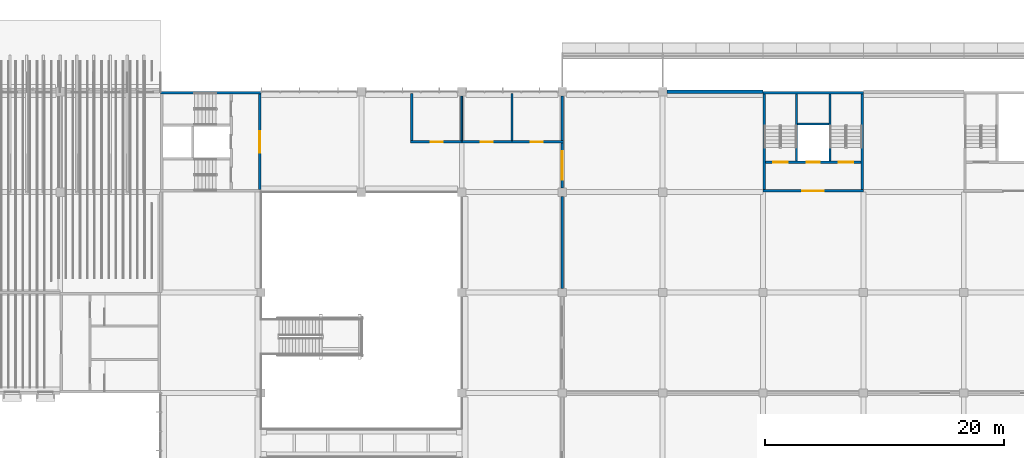
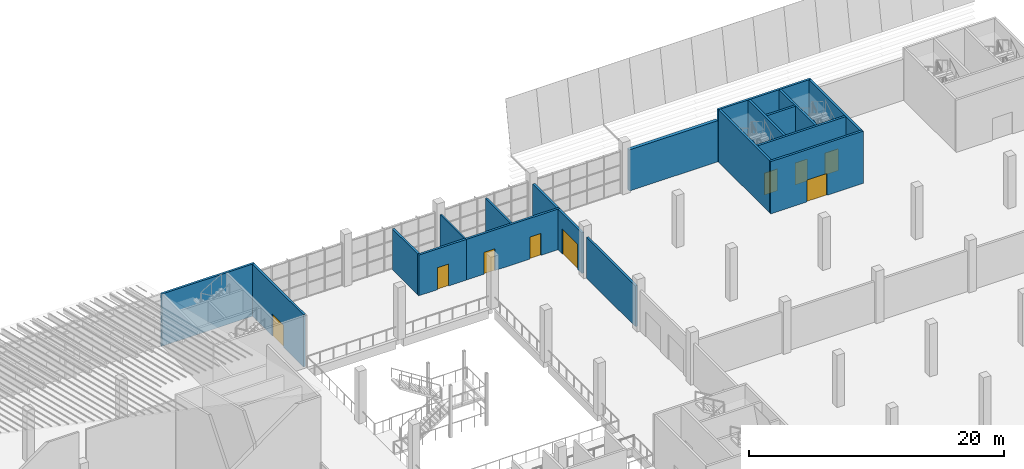
# One storey, part 26 of 82: 19 walls, 9 doors, 9 openings.
"""IFC4 building model written with IfcOpenShell, lengths in metres."""

import ifcopenshell
import ifcopenshell.guid

model = None  # the IFC model being written
_history = None  # IfcOwnerHistory: only IFC2X3 demands one
_inside = {}  # id of a spatial element -> (the spatial element, [elements in it])
_under = {}  # id of a project, library or spatial element -> (it, [spatial elements below it])
_declared = {}  # id of a project -> (the project, [libraries it declares])
_typed = {}  # id of a type object -> (the type object, [elements of that type])
_made_of = {}  # id of a material, layer set ... -> (it, [elements and type objects made of it])


def new_model(schema):
    """Start an empty IFC model of exactly this schema.

    Asked for "IFC4X3", IfcOpenShell would pick the latest addendum, in which some entities
    have other attributes; the version numbers below select the first issue.
    IFC2X3 requires an IfcOwnerHistory on every rooted entity: one is made here for all.
    """
    global model, _history
    if schema == "IFC4X3":
        model = ifcopenshell.file(schema_version=(4, 3, 0, 0))
    else:
        model = ifcopenshell.file(schema=schema)
    _inside.clear()
    _under.clear()
    _declared.clear()
    _typed.clear()
    _made_of.clear()
    _history = None
    if model.schema == "IFC2X3":
        org = make("IfcOrganization", Name="unknown")
        user = make(
            "IfcPersonAndOrganization",
            ThePerson=make("IfcPerson", FamilyName="unknown"),
            TheOrganization=org,
        )
        app = make(
            "IfcApplication",
            ApplicationDeveloper=org,
            Version="unknown",
            ApplicationFullName="unknown",
            ApplicationIdentifier="unknown",
        )
        _history = make(
            "IfcOwnerHistory",
            OwningUser=user,
            OwningApplication=app,
            ChangeAction="ADDED",
            CreationDate=0,
        )
    return model


def make(cls, **values):
    """One entity of the class cls with the attributes given. An attribute that is None is left unset."""
    return model.create_entity(
        cls, **{name: value for name, value in values.items() if value is not None}
    )


def rooted(cls, **values):
    """An entity with a GlobalId (a new one), such as an element, a storey or a relation."""
    return make(cls, GlobalId=ifcopenshell.guid.new(), OwnerHistory=_history, **values)


def si_unit(unit_type, name, prefix=None):
    """IfcSIUnit, for example si_unit("LENGTHUNIT", "METRE", prefix="MILLI")."""
    return make("IfcSIUnit", UnitType=unit_type, Prefix=prefix, Name=name)


def assignment(units):
    """IfcUnitAssignment: the units of a project."""
    return None if units is None else make("IfcUnitAssignment", Units=units)


def point(xyz):
    """IfcCartesianPoint."""
    return None if xyz is None else make("IfcCartesianPoint", Coordinates=xyz)


def direction(xyz):
    """IfcDirection."""
    return None if xyz is None else make("IfcDirection", DirectionRatios=xyz)


def frame(location, z_axis=None, x_axis=None):
    """IfcAxis2Placement3D, a coordinate frame: its origin and axes. An axis left out is left unset."""
    return make(
        "IfcAxis2Placement3D",
        Location=point(location),
        Axis=direction(z_axis),
        RefDirection=direction(x_axis),
    )


def frame_2d(location, x_axis=None):
    """IfcAxis2Placement2D, a coordinate frame in the plane: its origin and x axis."""
    return make(
        "IfcAxis2Placement2D", Location=point(location), RefDirection=direction(x_axis)
    )


def origin():
    """The frame at (0, 0, 0) with its axes left unset."""
    return frame((0.0, 0.0, 0.0))


def place(relative_to, where):
    """IfcLocalPlacement: puts the frame where relative to a parent placement (None: the world)."""
    return make(
        "IfcLocalPlacement", PlacementRelTo=relative_to, RelativePlacement=where
    )


def context(
    kind, dimensions, precision=None, world=None, true_north=None, identifier=None
):
    """IfcGeometricRepresentationContext, for example the 3D "Model" context."""
    return make(
        "IfcGeometricRepresentationContext",
        ContextIdentifier=identifier,
        ContextType=kind,
        CoordinateSpaceDimension=dimensions,
        Precision=precision,
        WorldCoordinateSystem=world,
        TrueNorth=true_north,
    )


def subcontext(parent, identifier, kind, view, scale=None):
    """IfcGeometricRepresentationSubContext, for example "Body" below "Model"."""
    return make(
        "IfcGeometricRepresentationSubContext",
        ContextIdentifier=identifier,
        ContextType=kind,
        ParentContext=parent,
        TargetScale=scale,
        TargetView=view,
    )


def project(units=None, contexts=None):
    """IfcProject with its units and contexts."""
    return rooted(
        "IfcProject",
        Name="project",
        RepresentationContexts=contexts,
        UnitsInContext=assignment(units),
    )


def spatial(cls, under=None, at=None, **own):
    """A site, building, storey or space (cls), placed at a placement, below another one or the project."""
    s = rooted(cls, ObjectPlacement=at, **own)
    if under is not None:
        _under.setdefault(under.id(), (under, []))[1].append(s)
    return s


def profile(cls, at=None, kind="AREA", **sizes):
    """A parametric profile (cls). Its sizes go by their IFC names, for example OverallWidth=200.0."""
    return make(cls, ProfileType=kind, Position=at, **sizes)


def rectangle(**sizes):
    """IfcRectangleProfileDef."""
    return profile("IfcRectangleProfileDef", **sizes)


def extrude(swept, where, along, depth):
    """IfcExtrudedAreaSolid: the profile swept, set in the frame where, extruded along a direction by depth."""
    return make(
        "IfcExtrudedAreaSolid",
        SweptArea=swept,
        Position=where,
        ExtrudedDirection=direction(along),
        Depth=depth,
    )


def shape(context_of_items, identifier, shape_type, items):
    """IfcShapeRepresentation: the items that make up one representation, for example the "Body"."""
    return make(
        "IfcShapeRepresentation",
        ContextOfItems=context_of_items,
        RepresentationIdentifier=identifier,
        RepresentationType=shape_type,
        Items=items,
    )


def material(Name=None, Category=None):
    """IfcMaterial."""
    return make("IfcMaterial", Name=Name, Category=Category)


def layer(
    of_material, thickness, ventilated=None, Name=None, Category=None, Priority=None
):
    """IfcMaterialLayer: one layer of a wall or slab, of a material (None: an air gap)."""
    return make(
        "IfcMaterialLayer",
        Material=of_material,
        LayerThickness=thickness,
        IsVentilated=ventilated,
        Name=Name,
        Category=Category,
        Priority=Priority,
    )


def layer_set(layers, Name=None):
    """IfcMaterialLayerSet."""
    return make("IfcMaterialLayerSet", MaterialLayers=layers, LayerSetName=Name)


def made_of(thing, what):
    """Note that an element or type object is made of a material, layer set ...; save() writes the relation."""
    if what is not None:
        _made_of.setdefault(what.id(), (what, []))[1].append(thing)
    return thing


def type_object(cls, material=None, **own):
    """A type object (cls), such as IfcWallType, which elements share."""
    return made_of(rooted(cls, **own), material)


def element(
    cls,
    number,
    at=None,
    inside=None,
    cuts=None,
    type_object=None,
    material=None,
    context=None,
    identifier="Body",
    shape_type=None,
    held_by="IfcProductDefinitionShape",
    body=None,
    shapes=None,
    **own,
):
    """One element of the class cls, such as IfcWall. Its Tag is "e" and its number.

    at: its placement. inside: the storey or other place that contains it. cuts: it is an
    opening in that element (IfcRelVoidsElement). A single representation is given by context,
    identifier, shape_type and body (its items); several are given by shapes. held_by: the class
    of the entity that holds the representations. save() writes the other relations.
    """
    e = rooted(cls, Tag="e%d" % number, ObjectPlacement=at, **own)
    if body is not None:
        shapes = [shape(context, identifier, shape_type, body)]
    if shapes is not None:
        e.Representation = make(held_by, Representations=shapes)
    if inside is not None:
        _inside.setdefault(inside.id(), (inside, []))[1].append(e)
    if cuts is not None:
        rooted(
            "IfcRelVoidsElement", RelatingBuildingElement=cuts, RelatedOpeningElement=e
        )
    if type_object is not None:
        _typed.setdefault(type_object.id(), (type_object, []))[1].append(e)
    return made_of(e, material)


def fill(opening, filler):
    """IfcRelFillsElement: the door or window that sits in an opening."""
    return rooted(
        "IfcRelFillsElement",
        RelatingOpeningElement=opening,
        RelatedBuildingElement=filler,
    )


def aggregate(whole, parts):
    """IfcRelAggregates: a whole, such as a stair, and the parts it consists of."""
    return rooted("IfcRelAggregates", RelatingObject=whole, RelatedObjects=parts)


def save(model, path):
    """Write the relations noted so far, then the file.

    IfcRelAggregates (storeys below a building ...), IfcRelContainedInSpatialStructure (elements
    in a storey), IfcRelDefinesByType, IfcRelAssociatesMaterial and IfcRelDeclares: one each for
    every whole, place, type object, material and project.
    """
    for whole, parts in _under.values():
        aggregate(whole, parts)
    for where, things in _inside.values():
        rooted(
            "IfcRelContainedInSpatialStructure",
            RelatedElements=things,
            RelatingStructure=where,
        )
    for kind, things in _typed.values():
        rooted("IfcRelDefinesByType", RelatedObjects=things, RelatingType=kind)
    for what, things in _made_of.values():
        rooted("IfcRelAssociatesMaterial", RelatedObjects=things, RelatingMaterial=what)
    for by, libraries in _declared.values():
        rooted("IfcRelDeclares", RelatingContext=by, RelatedDefinitions=libraries)
    model.write(path)


model = new_model("IFC4")

# Units and contexts
model_context = context("Model", 3, precision=1e-05, world=origin(), true_north=direction((0.0, 1.0)))
body_context = subcontext(model_context, "Body", "Model", "MODEL_VIEW")
ifc_project = project(units=[si_unit("LENGTHUNIT", "METRE"), si_unit("AREAUNIT", "SQUARE_METRE"), si_unit("VOLUMEUNIT", "CUBIC_METRE"), si_unit("PLANEANGLEUNIT", "RADIAN"), si_unit("MASSUNIT", "GRAM", prefix="KILO")], contexts=[model_context])

# Site, building, storey
site_placement = place(None, origin())
site = spatial("IfcSite", under=ifc_project, at=site_placement, CompositionType="ELEMENT")
building_placement = place(site_placement, origin())
building = spatial("IfcBuilding", under=site, at=building_placement, Name="Almond Square Museum", CompositionType="ELEMENT")
storey_placement = place(building_placement, frame((0.0, 0.0, 20.0)))
storey = spatial("IfcBuildingStorey", under=building, at=storey_placement, Name="L03", CompositionType="ELEMENT", Elevation=20.0)

# Walls
ifc_material_1 = material(Name="Concrete C30/37", Category="concrete")
ifc_layer_1 = layer(ifc_material_1, 0.300048828125)
ifc_layer_set_1 = layer_set([ifc_layer_1], Name="Concrete C30/37")
wall_type_1 = type_object("IfcWallType", Name="Cast concrete wall 300 C30/37 behind louvre skin", PredefinedType="SOLIDWALL", material=ifc_layer_set_1)
wall_1_placement = place(storey_placement, frame((115.550048828125, 109.199951171875, 0.0), z_axis=(0.0, 0.0, 1.0), x_axis=(1.0, 0.0, 0.0)))
element("IfcWall", 1, at=wall_1_placement, inside=storey, type_object=wall_type_1, Name="External wall W1 V1 L03 N02", PredefinedType="SOLIDWALL", context=body_context, shape_type="SweptSolid", body=[
    extrude(rectangle(XDim=8.050048828125, YDim=0.300048828125, at=frame_2d((4.02490234375, 0.0))), origin(), (0.0, 0.0, 1.0), 3.93994140625),
])
ifc_material_2 = material(Name="Concrete blockwork 200", Category="masonry")
ifc_layer_2 = layer(ifc_material_2, 0.199951171875)
ifc_layer_set_2 = layer_set([ifc_layer_2], Name="Concrete blockwork 200")
wall_type_2 = type_object("IfcWallType", Name="Fire partition 200 blockwork", PredefinedType="PARTITIONING", material=ifc_layer_set_2)
wall_2_placement = place(storey_placement, frame((94.199951171875, 105.10009765625, 0.0), z_axis=(0.0, 0.0, 1.0), x_axis=(0.0, 1.0, 0.0)))
element("IfcWall", 2, at=wall_2_placement, inside=storey, type_object=wall_type_2, Name="L03 partition 1", PredefinedType="PARTITIONING", context=body_context, shape_type="SweptSolid", body=[
    extrude(rectangle(XDim=3.949951171875, YDim=0.199951171875, at=frame_2d((1.97509765625, 0.0))), origin(), (0.0, 0.0, 1.0), 3.89990234375),
])

# Wall, opening, door
wall_3_placement = place(storey_placement, frame((94.10009765625, 105.0, 0.0), z_axis=(0.0, 0.0, 1.0), x_axis=(1.0, 0.0, 0.0)))
wall_3 = element("IfcWall", 3, at=wall_3_placement, inside=storey, type_object=wall_type_2, Name="L03 partition 2", PredefinedType="PARTITIONING", context=body_context, shape_type="SweptSolid", body=[
    extrude(rectangle(XDim=4.2998046875, YDim=0.199951171875, at=frame_2d((2.14990234375, 0.0))), origin(), (0.0, 0.0, 1.0), 3.89990234375),
])
opening_1_placement = place(wall_3_placement, frame((1.71240234375, 0.0, 0.0)))
opening_1 = element("IfcOpeningElement", 4, at=opening_1_placement, cuts=wall_3, Name="Opening D3101", PredefinedType="OPENING", context=body_context, shape_type="SweptSolid", body=[
    extrude(rectangle(XDim=1.0, YDim=2.10009765625, at=frame_2d((0.5, 1.050048828125))), frame((0.0, 0.10986328125, 0.0), z_axis=(0.0, -1.0, 0.0), x_axis=(1.0, 0.0, 0.0)), (0.0, 0.0, 1.0), 0.219970703125),
])
ifc_material_3 = material(Name="Steel", Category="steel")
door_type_1 = type_object("IfcDoorType", Name="Fire door 1000 x 2100 FD60 single", OperationType="NOTDEFINED", PredefinedType="DOOR", material=ifc_material_3)
door_1_placement = place(opening_1_placement, origin())
door_1 = element("IfcDoor", 5, at=door_1_placement, inside=storey, type_object=door_type_1, Name="L03 door Women's WC 1 to Atrium Rim Lobby 1", OperationType="SINGLE_SWING_LEFT", OverallHeight=2.10009765625, OverallWidth=1.0, PredefinedType="DOOR", context=body_context, shape_type="SweptSolid", body=[
    extrude(rectangle(XDim=1.0, YDim=2.10009765625, at=frame_2d((0.5, 1.050048828125))), frame((0.0, 0.02490234375, 0.0), z_axis=(0.0, -1.0, 0.0), x_axis=(1.0, 0.0, 0.0)), (0.0, 0.0, 1.0), 0.050048828125),
])
fill(opening_1, door_1)

# Wall, openings, doors
wall_4_placement = place(storey_placement, frame((98.39990234375, 105.0, 0.0), z_axis=(0.0, 0.0, 1.0), x_axis=(1.0, 0.0, 0.0)))
wall_4 = element("IfcWall", 6, at=wall_4_placement, inside=storey, type_object=wall_type_2, Name="L03 partition 3", PredefinedType="PARTITIONING", context=body_context, shape_type="SweptSolid", body=[
    extrude(rectangle(XDim=8.5, YDim=0.199951171875, at=frame_2d((4.25, 0.0))), origin(), (0.0, 0.0, 1.0), 3.89990234375),
])
opening_2_placement = place(wall_4_placement, frame((1.60009765625, 0.0, 0.0)))
opening_2 = element("IfcOpeningElement", 7, at=opening_2_placement, cuts=wall_4, Name="Opening D3102", PredefinedType="OPENING", context=body_context, shape_type="SweptSolid", body=[
    extrude(rectangle(XDim=1.0, YDim=2.10009765625, at=frame_2d((0.5, 1.050048828125))), frame((0.0, 0.10986328125, 0.0), z_axis=(0.0, -1.0, 0.0), x_axis=(1.0, 0.0, 0.0)), (0.0, 0.0, 1.0), 0.219970703125),
])
opening_3_placement = place(wall_4_placement, frame((5.78759765625, 0.0, 0.0)))
opening_3 = element("IfcOpeningElement", 8, at=opening_3_placement, cuts=wall_4, Name="Opening D3103", PredefinedType="OPENING", context=body_context, shape_type="SweptSolid", body=[
    extrude(rectangle(XDim=1.0, YDim=2.10009765625, at=frame_2d((0.5, 1.050048828125))), frame((0.0, 0.10986328125, 0.0), z_axis=(0.0, -1.0, 0.0), x_axis=(1.0, 0.0, 0.0)), (0.0, 0.0, 1.0), 0.219970703125),
])
door_2_placement = place(opening_2_placement, origin())
door_2 = element("IfcDoor", 9, at=door_2_placement, inside=storey, type_object=door_type_1, Name="L03 door Men's WC 1 to Atrium Rim Lobby 1", OperationType="SINGLE_SWING_RIGHT", OverallHeight=2.10009765625, OverallWidth=1.0, PredefinedType="DOOR", context=body_context, shape_type="SweptSolid", body=[
    extrude(rectangle(XDim=1.0, YDim=2.10009765625, at=frame_2d((0.5, 1.050048828125))), frame((0.0, 0.02490234375, 0.0), z_axis=(0.0, -1.0, 0.0), x_axis=(1.0, 0.0, 0.0)), (0.0, 0.0, 1.0), 0.050048828125),
])
fill(opening_2, door_2)
door_3_placement = place(opening_3_placement, origin())
door_3 = element("IfcDoor", 10, at=door_3_placement, inside=storey, type_object=door_type_1, Name="L03 door Accessible WC 1 to Atrium Rim Lobby 1", OperationType="SINGLE_SWING_LEFT", OverallHeight=2.10009765625, OverallWidth=1.0, PredefinedType="DOOR", context=body_context, shape_type="SweptSolid", body=[
    extrude(rectangle(XDim=1.0, YDim=2.10009765625, at=frame_2d((0.5, 1.050048828125))), frame((0.0, 0.02490234375, 0.0), z_axis=(0.0, -1.0, 0.0), x_axis=(1.0, 0.0, 0.0)), (0.0, 0.0, 1.0), 0.050048828125),
])
fill(opening_3, door_3)

# Wall
wall_5_placement = place(storey_placement, frame((106.800048828125, 92.75, 0.0), z_axis=(0.0, 0.0, 1.0), x_axis=(0.0, 1.0, 0.0)))
element("IfcWall", 11, at=wall_5_placement, inside=storey, type_object=wall_type_2, Name="L03 partition 11", PredefinedType="PARTITIONING", context=body_context, shape_type="SweptSolid", body=[
    extrude(rectangle(XDim=7.699951171875, YDim=0.199951171875, at=frame_2d((3.85009765625, 0.0))), origin(), (0.0, 0.0, 1.0), 3.89990234375),
])

# Wall, opening, door
wall_6_placement = place(storey_placement, frame((106.800048828125, 101.14990234375, 0.0), z_axis=(0.0, 0.0, 1.0), x_axis=(0.0, 1.0, 0.0)))
wall_6 = element("IfcWall", 12, at=wall_6_placement, inside=storey, type_object=wall_type_2, Name="L03 partition 12", PredefinedType="PARTITIONING", context=body_context, shape_type="SweptSolid", body=[
    extrude(rectangle(XDim=3.75, YDim=0.199951171875, at=frame_2d((1.875, 0.0))), origin(), (0.0, 0.0, 1.0), 3.89990234375),
])
opening_4_placement = place(wall_6_placement, frame((0.675048828125, 0.0, 0.0)))
opening_4 = element("IfcOpeningElement", 13, at=opening_4_placement, cuts=wall_6, Name="Opening D3130", PredefinedType="OPENING", context=body_context, shape_type="SweptSolid", body=[
    extrude(rectangle(XDim=2.39990234375, YDim=2.39990234375, at=frame_2d((1.199951171875, 1.199951171875))), frame((0.0, 0.10986328125, 0.0), z_axis=(0.0, -1.0, 0.0), x_axis=(1.0, 0.0, 0.0)), (0.0, 0.0, 1.0), 0.219970703125),
])
ifc_material_4 = material(Name="Steel", Category="steel")
door_type_2 = type_object("IfcDoorType", Name="Fire door 2400 x 2400 FD60 double", OperationType="NOTDEFINED", PredefinedType="DOOR", material=ifc_material_4)
door_4_placement = place(opening_4_placement, origin())
door_4 = element("IfcDoor", 14, at=door_4_placement, inside=storey, type_object=door_type_2, Name="L03 door Atrium Rim Lobby 1 to Contemporary Gallery", OperationType="DOUBLE_DOOR_SINGLE_SWING", OverallHeight=2.39990234375, OverallWidth=2.39990234375, PredefinedType="DOOR", context=body_context, shape_type="SweptSolid", body=[
    extrude(rectangle(XDim=2.39990234375, YDim=2.39990234375, at=frame_2d((1.199951171875, 1.199951171875))), frame((0.0, 0.02490234375, 0.0), z_axis=(0.0, -1.0, 0.0), x_axis=(1.0, 0.0, 0.0)), (0.0, 0.0, 1.0), 0.050048828125),
])
fill(opening_4, door_4)

# Walls
ifc_material_5 = material(Name="Painted gypsum board on steel stud", Category="steel")
ifc_layer_3 = layer(ifc_material_5, 0.199951171875)
ifc_layer_set_3 = layer_set([ifc_layer_3], Name="Painted gypsum board on steel stud")
wall_type_3 = type_object("IfcWallType", Name="Gallery wall 200 painted board on stud", PredefinedType="PARTITIONING", material=ifc_layer_set_3)
wall_7_placement = place(storey_placement, frame((106.800048828125, 105.10009765625, 0.0), z_axis=(0.0, 0.0, 1.0), x_axis=(0.0, 1.0, 0.0)))
element("IfcWall", 15, at=wall_7_placement, inside=storey, type_object=wall_type_3, Name="L03 partition 6", PredefinedType="PARTITIONING", context=body_context, shape_type="SweptSolid", body=[
    extrude(rectangle(XDim=3.75, YDim=0.199951171875, at=frame_2d((1.875, 0.0))), origin(), (0.0, 0.0, 1.0), 3.89990234375),
])
ifc_material_6 = material(Name="Plasterboard on steel stud", Category="steel")
ifc_layer_4 = layer(ifc_material_6, 0.14990234375)
ifc_layer_set_4 = layer_set([ifc_layer_4], Name="Plasterboard on steel stud")
wall_type_4 = type_object("IfcWallType", Name="Partition 150 plasterboard on steel stud", PredefinedType="PARTITIONING", material=ifc_layer_set_4)
wall_8_placement = place(storey_placement, frame((98.39990234375, 105.10009765625, 0.0), z_axis=(0.0, 0.0, 1.0), x_axis=(0.0, 1.0, 0.0)))
element("IfcWall", 16, at=wall_8_placement, inside=storey, type_object=wall_type_4, Name="L03 partition 4", PredefinedType="PARTITIONING", context=body_context, shape_type="SweptSolid", body=[
    extrude(rectangle(XDim=3.75, YDim=0.14990234375, at=frame_2d((1.875, 0.0))), origin(), (0.0, 0.0, 1.0), 3.89990234375),
])
wall_9_placement = place(storey_placement, frame((102.60009765625, 105.10009765625, 0.0), z_axis=(0.0, 0.0, 1.0), x_axis=(0.0, 1.0, 0.0)))
element("IfcWall", 17, at=wall_9_placement, inside=storey, type_object=wall_type_4, Name="L03 partition 5", PredefinedType="PARTITIONING", context=body_context, shape_type="SweptSolid", body=[
    extrude(rectangle(XDim=3.949951171875, YDim=0.14990234375, at=frame_2d((1.97509765625, 0.0))), origin(), (0.0, 0.0, 1.0), 3.89990234375),
])

# Wall, opening, door
ifc_material_7 = material(Name="Concrete C40/50", Category="concrete")
ifc_layer_5 = layer(ifc_material_7, 0.199951171875)
ifc_layer_set_5 = layer_set([ifc_layer_5], Name="Concrete C40/50")
wall_type_5 = type_object("IfcWallType", Name="RC shear wall 200 C40/50", PredefinedType="SHEAR", material=ifc_layer_set_5)
wall_10_placement = place(storey_placement, frame((123.60009765625, 100.89990234375, 0.0), z_axis=(0.0, 0.0, 1.0), x_axis=(1.0, 0.0, 0.0)))
wall_10 = element("IfcWall", 18, at=wall_10_placement, inside=storey, type_object=wall_type_5, Name="Core H4 south wall L03", PredefinedType="SHEAR", context=body_context, shape_type="SweptSolid", body=[
    extrude(rectangle(XDim=8.39990234375, YDim=0.199951171875, at=frame_2d((4.199951171875, 0.0))), origin(), (0.0, 0.0, 1.0), 5.0),
])
opening_5_placement = place(wall_10_placement, frame((3.300048828125, 0.0, 0.0)))
opening_5 = element("IfcOpeningElement", 19, at=opening_5_placement, cuts=wall_10, Name="Opening D3146", PredefinedType="OPENING", context=body_context, shape_type="SweptSolid", body=[
    extrude(rectangle(XDim=1.800048828125, YDim=2.10009765625, at=frame_2d((0.89990234375, 1.050048828125))), frame((0.0, 0.10986328125, 0.0), z_axis=(0.0, -1.0, 0.0), x_axis=(1.0, 0.0, 0.0)), (0.0, 0.0, 1.0), 0.219970703125),
])
ifc_material_8 = material(Name="Steel", Category="steel")
door_type_3 = type_object("IfcDoorType", Name="Fire door 1800 x 2100 FD60 double", OperationType="NOTDEFINED", PredefinedType="DOOR", material=ifc_material_8)
door_5_placement = place(opening_5_placement, origin())
door_5 = element("IfcDoor", 20, at=door_5_placement, inside=storey, type_object=door_type_3, Name="L03 stair core H4 lobby door", OperationType="DOUBLE_DOOR_SINGLE_SWING", OverallHeight=2.10009765625, OverallWidth=1.800048828125, PredefinedType="DOOR", context=body_context, shape_type="SweptSolid", body=[
    extrude(rectangle(XDim=1.800048828125, YDim=2.10009765625, at=frame_2d((0.89990234375, 1.050048828125))), frame((0.0, 0.02490234375, 0.0), z_axis=(0.0, -1.0, 0.0), x_axis=(1.0, 0.0, 0.0)), (0.0, 0.0, 1.0), 0.050048828125),
])
fill(opening_5, door_5)

# Walls
wall_11_placement = place(storey_placement, frame((123.60009765625, 109.10009765625, 0.0), z_axis=(0.0, 0.0, 1.0), x_axis=(1.0, 0.0, 0.0)))
element("IfcWall", 21, at=wall_11_placement, inside=storey, type_object=wall_type_5, Name="Core H4 north wall L03", PredefinedType="SHEAR", context=body_context, shape_type="SweptSolid", body=[
    extrude(rectangle(XDim=8.39990234375, YDim=0.199951171875, at=frame_2d((4.199951171875, 0.0))), origin(), (0.0, 0.0, 1.0), 5.0),
])
for number, where, z_axis, x_axis, name in (
    (22, (123.699951171875, 101.0, 0.0), (0.0, 0.0, 1.0), (0.0, 1.0, 0.0), "Core H4 west wall L03"),
    (23, (131.89990234375, 101.0, 0.0), (0.0, 0.0, 1.0), (0.0, 1.0, 0.0), "Core H4 east wall L03"),
):
    element("IfcWall", number, at=place(storey_placement, frame(where, z_axis=z_axis, x_axis=x_axis)), inside=storey, type_object=wall_type_5, Name=name, PredefinedType="SHEAR", context=body_context, shape_type="SweptSolid", body=[
        extrude(rectangle(XDim=8.0, YDim=0.199951171875, at=frame_2d((4.0, 0.0))), origin(), (0.0, 0.0, 1.0), 5.0),
    ])

# Wall, openings, doors
wall_12_placement = place(storey_placement, frame((123.800048828125, 103.300048828125, 0.0), z_axis=(0.0, 0.0, 1.0), x_axis=(1.0, 0.0, 0.0)))
wall_12 = element("IfcWall", 24, at=wall_12_placement, inside=storey, type_object=wall_type_5, Name="Core H4 lobby wall L03", PredefinedType="SHEAR", context=body_context, shape_type="SweptSolid", body=[
    extrude(rectangle(XDim=8.0, YDim=0.199951171875, at=frame_2d((4.0, 0.0))), origin(), (0.0, 0.0, 1.0), 5.0),
])
opening_6_placement = place(wall_12_placement, frame((0.64990234375, 0.0, 0.0)))
opening_6 = element("IfcOpeningElement", 25, at=opening_6_placement, cuts=wall_12, Name="Opening D3147", PredefinedType="OPENING", context=body_context, shape_type="SweptSolid", body=[
    extrude(rectangle(XDim=1.199951171875, YDim=2.10009765625, at=frame_2d((0.60009765625, 1.050048828125))), frame((0.0, 0.10986328125, 0.0), z_axis=(0.0, -1.0, 0.0), x_axis=(1.0, 0.0, 0.0)), (0.0, 0.0, 1.0), 0.219970703125),
])
opening_7_placement = place(wall_12_placement, frame((6.14990234375, 0.0, 0.0)))
opening_7 = element("IfcOpeningElement", 26, at=opening_7_placement, cuts=wall_12, Name="Opening D3148", PredefinedType="OPENING", context=body_context, shape_type="SweptSolid", body=[
    extrude(rectangle(XDim=1.199951171875, YDim=2.10009765625, at=frame_2d((0.60009765625, 1.050048828125))), frame((0.0, 0.10986328125, 0.0), z_axis=(0.0, -1.0, 0.0), x_axis=(1.0, 0.0, 0.0)), (0.0, 0.0, 1.0), 0.219970703125),
])
opening_8_placement = place(wall_12_placement, frame((3.449951171875, 0.0, 0.0)))
opening_8 = element("IfcOpeningElement", 27, at=opening_8_placement, cuts=wall_12, Name="Opening D3149", PredefinedType="OPENING", context=body_context, shape_type="SweptSolid", body=[
    extrude(rectangle(XDim=1.10009765625, YDim=2.10009765625, at=frame_2d((0.550048828125, 1.050048828125))), frame((0.0, 0.10986328125, 0.0), z_axis=(0.0, -1.0, 0.0), x_axis=(1.0, 0.0, 0.0)), (0.0, 0.0, 1.0), 0.219970703125),
])
ifc_material_9 = material(Name="Steel", Category="steel")
door_type_4 = type_object("IfcDoorType", Name="Fire door 1200 x 2100 FD120 stair", OperationType="NOTDEFINED", PredefinedType="DOOR", material=ifc_material_9)
door_6_placement = place(opening_6_placement, origin())
door_6 = element("IfcDoor", 28, at=door_6_placement, inside=storey, type_object=door_type_4, Name="L03 stair H4-1 door", OperationType="SINGLE_SWING_LEFT", OverallHeight=2.10009765625, OverallWidth=1.199951171875, PredefinedType="DOOR", context=body_context, shape_type="SweptSolid", body=[
    extrude(rectangle(XDim=1.199951171875, YDim=2.10009765625, at=frame_2d((0.60009765625, 1.050048828125))), frame((0.0, 0.02490234375, 0.0), z_axis=(0.0, -1.0, 0.0), x_axis=(1.0, 0.0, 0.0)), (0.0, 0.0, 1.0), 0.050048828125),
])
fill(opening_6, door_6)
door_7_placement = place(opening_7_placement, origin())
door_7 = element("IfcDoor", 29, at=door_7_placement, inside=storey, type_object=door_type_4, Name="L03 stair H4-2 door", OperationType="SINGLE_SWING_RIGHT", OverallHeight=2.10009765625, OverallWidth=1.199951171875, PredefinedType="DOOR", context=body_context, shape_type="SweptSolid", body=[
    extrude(rectangle(XDim=1.199951171875, YDim=2.10009765625, at=frame_2d((0.60009765625, 1.050048828125))), frame((0.0, 0.02490234375, 0.0), z_axis=(0.0, -1.0, 0.0), x_axis=(1.0, 0.0, 0.0)), (0.0, 0.0, 1.0), 0.050048828125),
])
fill(opening_7, door_7)
ifc_material_10 = material(Name="Stainless steel", Category="steel")
door_type_5 = type_object("IfcDoorType", Name="Lift landing door 1100 x 2100", OperationType="NOTDEFINED", PredefinedType="DOOR", material=ifc_material_10)
door_8_placement = place(opening_8_placement, origin())
door_8 = element("IfcDoor", 30, at=door_8_placement, inside=storey, type_object=door_type_5, Name="L03 lift PL-H4 landing door", OperationType="DOUBLE_DOOR_SLIDING", OverallHeight=2.10009765625, OverallWidth=1.10009765625, PredefinedType="DOOR", context=body_context, shape_type="SweptSolid", body=[
    extrude(rectangle(XDim=1.10009765625, YDim=2.10009765625, at=frame_2d((0.550048828125, 1.050048828125))), frame((0.0, 0.02490234375, 0.0), z_axis=(0.0, -1.0, 0.0), x_axis=(1.0, 0.0, 0.0)), (0.0, 0.0, 1.0), 0.050048828125),
])
fill(opening_8, door_8)

# Walls
for number, where, z_axis, x_axis, name in (
    (31, (126.39990234375, 103.39990234375, 0.0), (0.0, 0.0, 1.0), (0.0, 1.0, 0.0), "Core H4 partition wall L03"),
    (32, (129.199951171875, 103.39990234375, 0.0), (0.0, 0.0, 1.0), (0.0, 1.0, 0.0), "Core H4 partition wall L03"),
):
    element("IfcWall", number, at=place(storey_placement, frame(where, z_axis=z_axis, x_axis=x_axis)), inside=storey, type_object=wall_type_5, Name=name, PredefinedType="SHEAR", context=body_context, shape_type="SweptSolid", body=[
        extrude(rectangle(XDim=5.60009765625, YDim=0.199951171875, at=frame_2d((2.800048828125, 0.0))), origin(), (0.0, 0.0, 1.0), 5.0),
    ])
wall_13_placement = place(storey_placement, frame((126.5, 106.5, 0.0), z_axis=(0.0, 0.0, 1.0), x_axis=(1.0, 0.0, 0.0)))
element("IfcWall", 33, at=wall_13_placement, inside=storey, type_object=wall_type_5, Name="Core H4 partition wall L03", PredefinedType="SHEAR", context=body_context, shape_type="SweptSolid", body=[
    extrude(rectangle(XDim=2.60009765625, YDim=0.199951171875, at=frame_2d((1.300048828125, 0.0))), origin(), (0.0, 0.0, 1.0), 5.0),
])
wall_14_placement = place(storey_placement, frame((73.199951171875, 109.10009765625, 0.0), z_axis=(0.0, 0.0, 1.0), x_axis=(1.0, 0.0, 0.0)))
element("IfcWall", 34, at=wall_14_placement, inside=storey, type_object=wall_type_5, Name="Core A1 north wall L03", PredefinedType="SHEAR", context=body_context, shape_type="SweptSolid", body=[
    extrude(rectangle(XDim=8.400146484375, YDim=0.199951171875, at=frame_2d((4.2001953125, 0.0))), origin(), (0.0, 0.0, 1.0), 5.0),
])

# Wall, opening, door
wall_15_placement = place(storey_placement, frame((81.5, 101.0, 0.0), z_axis=(0.0, 0.0, 1.0), x_axis=(0.0, 1.0, 0.0)))
wall_15 = element("IfcWall", 35, at=wall_15_placement, inside=storey, type_object=wall_type_5, Name="Core A1 east wall L03", PredefinedType="SHEAR", context=body_context, shape_type="SweptSolid", body=[
    extrude(rectangle(XDim=8.0, YDim=0.199951171875, at=frame_2d((4.0, 0.0))), origin(), (0.0, 0.0, 1.0), 5.0),
])
opening_9_placement = place(wall_15_placement, frame((3.10009765625, 0.0, 0.0)))
opening_9 = element("IfcOpeningElement", 36, at=opening_9_placement, cuts=wall_15, Name="Opening D3150", PredefinedType="OPENING", context=body_context, shape_type="SweptSolid", body=[
    extrude(rectangle(XDim=1.800048828125, YDim=2.10009765625, at=frame_2d((0.89990234375, 1.050048828125))), frame((0.0, 0.10986328125, 0.0), z_axis=(0.0, -1.0, 0.0), x_axis=(1.0, 0.0, 0.0)), (0.0, 0.0, 1.0), 0.219970703125),
])
door_9_placement = place(opening_9_placement, origin())
door_9 = element("IfcDoor", 37, at=door_9_placement, inside=storey, type_object=door_type_3, Name="L03 stair core A1 lobby door", OperationType="DOUBLE_DOOR_SINGLE_SWING", OverallHeight=2.10009765625, OverallWidth=1.800048828125, PredefinedType="DOOR", context=body_context, shape_type="SweptSolid", body=[
    extrude(rectangle(XDim=1.800048828125, YDim=2.10009765625, at=frame_2d((0.89990234375, 1.050048828125))), frame((0.0, 0.02490234375, 0.0), z_axis=(0.0, -1.0, 0.0), x_axis=(1.0, 0.0, 0.0)), (0.0, 0.0, 1.0), 0.050048828125),
])
fill(opening_9, door_9)

save(model, "model.ifc")
